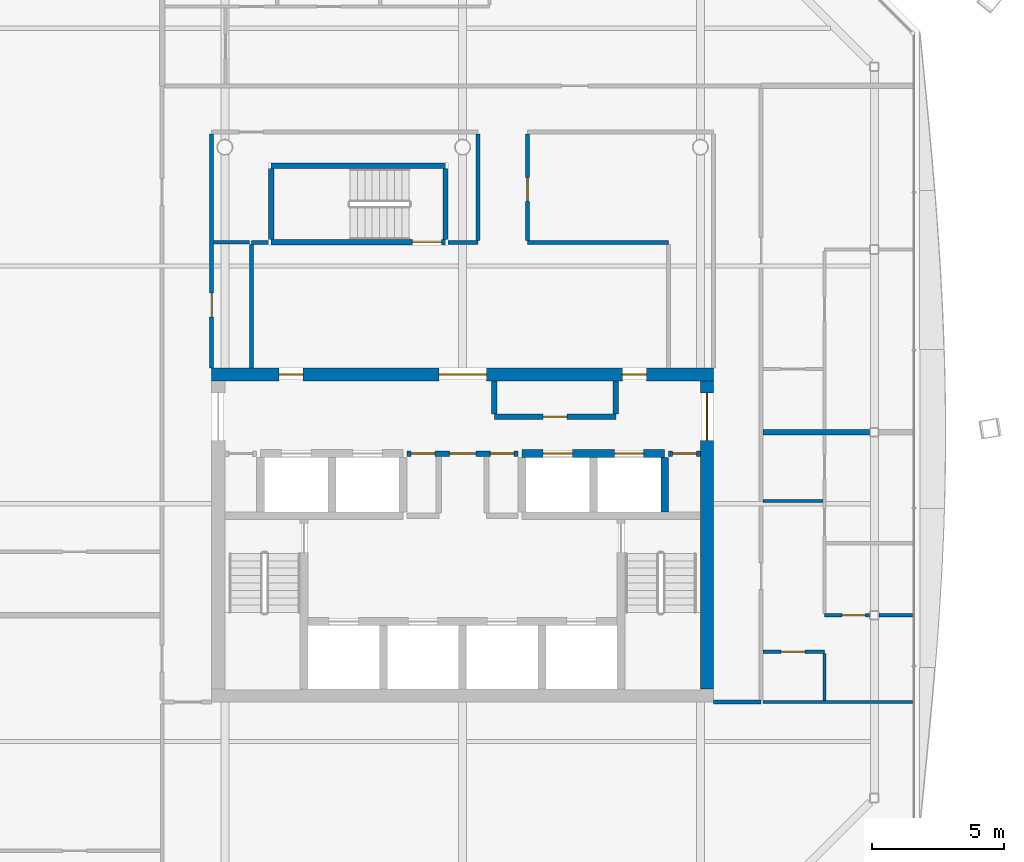
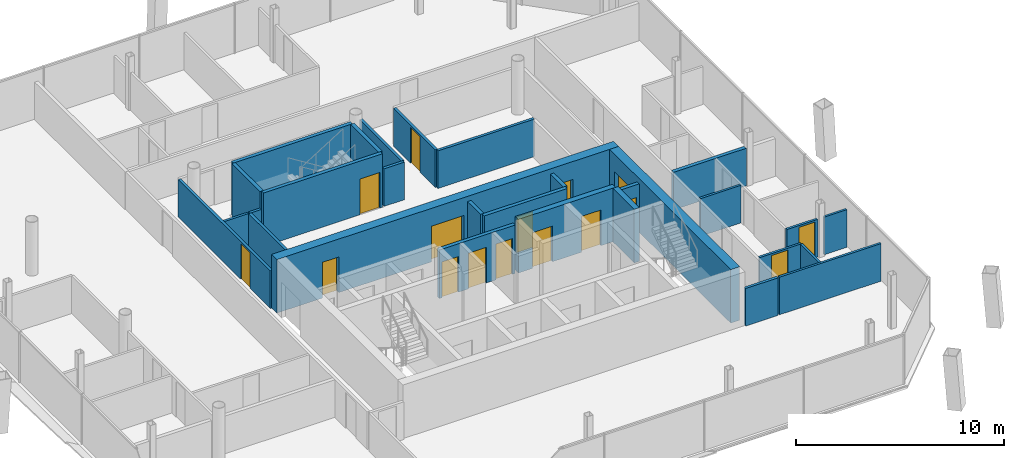
# One storey, part 15 of 20: 29 walls, 16 doors, 16 openings.
"""IFC4 building model written with IfcOpenShell, lengths in metres."""

import ifcopenshell
import ifcopenshell.guid

model = None  # the IFC model being written
_history = None  # IfcOwnerHistory: only IFC2X3 demands one
_inside = {}  # id of a spatial element -> (the spatial element, [elements in it])
_under = {}  # id of a project, library or spatial element -> (it, [spatial elements below it])
_declared = {}  # id of a project -> (the project, [libraries it declares])
_typed = {}  # id of a type object -> (the type object, [elements of that type])
_made_of = {}  # id of a material, layer set ... -> (it, [elements and type objects made of it])


def new_model(schema):
    """Start an empty IFC model of exactly this schema.

    Asked for "IFC4X3", IfcOpenShell would pick the latest addendum, in which some entities
    have other attributes; the version numbers below select the first issue.
    IFC2X3 requires an IfcOwnerHistory on every rooted entity: one is made here for all.
    """
    global model, _history
    if schema == "IFC4X3":
        model = ifcopenshell.file(schema_version=(4, 3, 0, 0))
    else:
        model = ifcopenshell.file(schema=schema)
    _inside.clear()
    _under.clear()
    _declared.clear()
    _typed.clear()
    _made_of.clear()
    _history = None
    if model.schema == "IFC2X3":
        org = make("IfcOrganization", Name="unknown")
        user = make(
            "IfcPersonAndOrganization",
            ThePerson=make("IfcPerson", FamilyName="unknown"),
            TheOrganization=org,
        )
        app = make(
            "IfcApplication",
            ApplicationDeveloper=org,
            Version="unknown",
            ApplicationFullName="unknown",
            ApplicationIdentifier="unknown",
        )
        _history = make(
            "IfcOwnerHistory",
            OwningUser=user,
            OwningApplication=app,
            ChangeAction="ADDED",
            CreationDate=0,
        )
    return model


def make(cls, **values):
    """One entity of the class cls with the attributes given. An attribute that is None is left unset."""
    return model.create_entity(
        cls, **{name: value for name, value in values.items() if value is not None}
    )


def rooted(cls, **values):
    """An entity with a GlobalId (a new one), such as an element, a storey or a relation."""
    return make(cls, GlobalId=ifcopenshell.guid.new(), OwnerHistory=_history, **values)


def si_unit(unit_type, name, prefix=None):
    """IfcSIUnit, for example si_unit("LENGTHUNIT", "METRE", prefix="MILLI")."""
    return make("IfcSIUnit", UnitType=unit_type, Prefix=prefix, Name=name)


def assignment(units):
    """IfcUnitAssignment: the units of a project."""
    return None if units is None else make("IfcUnitAssignment", Units=units)


def point(xyz):
    """IfcCartesianPoint."""
    return None if xyz is None else make("IfcCartesianPoint", Coordinates=xyz)


def direction(xyz):
    """IfcDirection."""
    return None if xyz is None else make("IfcDirection", DirectionRatios=xyz)


def frame(location, z_axis=None, x_axis=None):
    """IfcAxis2Placement3D, a coordinate frame: its origin and axes. An axis left out is left unset."""
    return make(
        "IfcAxis2Placement3D",
        Location=point(location),
        Axis=direction(z_axis),
        RefDirection=direction(x_axis),
    )


def frame_2d(location, x_axis=None):
    """IfcAxis2Placement2D, a coordinate frame in the plane: its origin and x axis."""
    return make(
        "IfcAxis2Placement2D", Location=point(location), RefDirection=direction(x_axis)
    )


def origin():
    """The frame at (0, 0, 0) with its axes left unset."""
    return frame((0.0, 0.0, 0.0))


def place(relative_to, where):
    """IfcLocalPlacement: puts the frame where relative to a parent placement (None: the world)."""
    return make(
        "IfcLocalPlacement", PlacementRelTo=relative_to, RelativePlacement=where
    )


def context(
    kind, dimensions, precision=None, world=None, true_north=None, identifier=None
):
    """IfcGeometricRepresentationContext, for example the 3D "Model" context."""
    return make(
        "IfcGeometricRepresentationContext",
        ContextIdentifier=identifier,
        ContextType=kind,
        CoordinateSpaceDimension=dimensions,
        Precision=precision,
        WorldCoordinateSystem=world,
        TrueNorth=true_north,
    )


def subcontext(parent, identifier, kind, view, scale=None):
    """IfcGeometricRepresentationSubContext, for example "Body" below "Model"."""
    return make(
        "IfcGeometricRepresentationSubContext",
        ContextIdentifier=identifier,
        ContextType=kind,
        ParentContext=parent,
        TargetScale=scale,
        TargetView=view,
    )


def project(units=None, contexts=None):
    """IfcProject with its units and contexts."""
    return rooted(
        "IfcProject",
        Name="project",
        RepresentationContexts=contexts,
        UnitsInContext=assignment(units),
    )


def spatial(cls, under=None, at=None, **own):
    """A site, building, storey or space (cls), placed at a placement, below another one or the project."""
    s = rooted(cls, ObjectPlacement=at, **own)
    if under is not None:
        _under.setdefault(under.id(), (under, []))[1].append(s)
    return s


def profile(cls, at=None, kind="AREA", **sizes):
    """A parametric profile (cls). Its sizes go by their IFC names, for example OverallWidth=200.0."""
    return make(cls, ProfileType=kind, Position=at, **sizes)


def rectangle(**sizes):
    """IfcRectangleProfileDef."""
    return profile("IfcRectangleProfileDef", **sizes)


def extrude(swept, where, along, depth):
    """IfcExtrudedAreaSolid: the profile swept, set in the frame where, extruded along a direction by depth."""
    return make(
        "IfcExtrudedAreaSolid",
        SweptArea=swept,
        Position=where,
        ExtrudedDirection=direction(along),
        Depth=depth,
    )


def shape(context_of_items, identifier, shape_type, items):
    """IfcShapeRepresentation: the items that make up one representation, for example the "Body"."""
    return make(
        "IfcShapeRepresentation",
        ContextOfItems=context_of_items,
        RepresentationIdentifier=identifier,
        RepresentationType=shape_type,
        Items=items,
    )


def material(Name=None, Category=None):
    """IfcMaterial."""
    return make("IfcMaterial", Name=Name, Category=Category)


def layer(
    of_material, thickness, ventilated=None, Name=None, Category=None, Priority=None
):
    """IfcMaterialLayer: one layer of a wall or slab, of a material (None: an air gap)."""
    return make(
        "IfcMaterialLayer",
        Material=of_material,
        LayerThickness=thickness,
        IsVentilated=ventilated,
        Name=Name,
        Category=Category,
        Priority=Priority,
    )


def layer_set(layers, Name=None):
    """IfcMaterialLayerSet."""
    return make("IfcMaterialLayerSet", MaterialLayers=layers, LayerSetName=Name)


def made_of(thing, what):
    """Note that an element or type object is made of a material, layer set ...; save() writes the relation."""
    if what is not None:
        _made_of.setdefault(what.id(), (what, []))[1].append(thing)
    return thing


def type_object(cls, material=None, **own):
    """A type object (cls), such as IfcWallType, which elements share."""
    return made_of(rooted(cls, **own), material)


def element(
    cls,
    number,
    at=None,
    inside=None,
    cuts=None,
    type_object=None,
    material=None,
    context=None,
    identifier="Body",
    shape_type=None,
    held_by="IfcProductDefinitionShape",
    body=None,
    shapes=None,
    **own,
):
    """One element of the class cls, such as IfcWall. Its Tag is "e" and its number.

    at: its placement. inside: the storey or other place that contains it. cuts: it is an
    opening in that element (IfcRelVoidsElement). A single representation is given by context,
    identifier, shape_type and body (its items); several are given by shapes. held_by: the class
    of the entity that holds the representations. save() writes the other relations.
    """
    e = rooted(cls, Tag="e%d" % number, ObjectPlacement=at, **own)
    if body is not None:
        shapes = [shape(context, identifier, shape_type, body)]
    if shapes is not None:
        e.Representation = make(held_by, Representations=shapes)
    if inside is not None:
        _inside.setdefault(inside.id(), (inside, []))[1].append(e)
    if cuts is not None:
        rooted(
            "IfcRelVoidsElement", RelatingBuildingElement=cuts, RelatedOpeningElement=e
        )
    if type_object is not None:
        _typed.setdefault(type_object.id(), (type_object, []))[1].append(e)
    return made_of(e, material)


def fill(opening, filler):
    """IfcRelFillsElement: the door or window that sits in an opening."""
    return rooted(
        "IfcRelFillsElement",
        RelatingOpeningElement=opening,
        RelatedBuildingElement=filler,
    )


def aggregate(whole, parts):
    """IfcRelAggregates: a whole, such as a stair, and the parts it consists of."""
    return rooted("IfcRelAggregates", RelatingObject=whole, RelatedObjects=parts)


def save(model, path):
    """Write the relations noted so far, then the file.

    IfcRelAggregates (storeys below a building ...), IfcRelContainedInSpatialStructure (elements
    in a storey), IfcRelDefinesByType, IfcRelAssociatesMaterial and IfcRelDeclares: one each for
    every whole, place, type object, material and project.
    """
    for whole, parts in _under.values():
        aggregate(whole, parts)
    for where, things in _inside.values():
        rooted(
            "IfcRelContainedInSpatialStructure",
            RelatedElements=things,
            RelatingStructure=where,
        )
    for kind, things in _typed.values():
        rooted("IfcRelDefinesByType", RelatedObjects=things, RelatingType=kind)
    for what, things in _made_of.values():
        rooted("IfcRelAssociatesMaterial", RelatedObjects=things, RelatingMaterial=what)
    for by, libraries in _declared.values():
        rooted("IfcRelDeclares", RelatingContext=by, RelatedDefinitions=libraries)
    model.write(path)


model = new_model("IFC4")

# Units and contexts
model_context = context("Model", 3, precision=1e-05, world=origin(), true_north=direction((0.0, 1.0)))
body_context = subcontext(model_context, "Body", "Model", "MODEL_VIEW")
ifc_project = project(units=[si_unit("LENGTHUNIT", "METRE"), si_unit("AREAUNIT", "SQUARE_METRE"), si_unit("VOLUMEUNIT", "CUBIC_METRE"), si_unit("PLANEANGLEUNIT", "RADIAN"), si_unit("MASSUNIT", "GRAM", prefix="KILO")], contexts=[model_context])

# Site, building, storey
site_placement = place(None, origin())
site = spatial("IfcSite", under=ifc_project, at=site_placement, CompositionType="ELEMENT")
building_placement = place(site_placement, origin())
building = spatial("IfcBuilding", under=site, at=building_placement, Name="Tskaro Facet Tower", CompositionType="ELEMENT")
storey_placement = place(building_placement, frame((0.0, 0.0, 194.25)))
storey = spatial("IfcBuildingStorey", under=building, at=storey_placement, Name="L49", CompositionType="ELEMENT", Elevation=194.25)

# Wall, openings, doors
ifc_material_1 = material(Name="Concrete C60/75", Category="concrete")
ifc_layer_1 = layer(ifc_material_1, 0.300048828125, Name="Concrete C60/75")
ifc_layer_set_1 = layer_set([ifc_layer_1], Name="Concrete C60/75")
wall_type_1 = type_object("IfcWallType", Name="CORE-SHAFT", PredefinedType="SHEAR", material=ifc_layer_set_1)
wall_1_placement = place(storey_placement, frame((2.25, -2.60009765625, 0.0), z_axis=(0.0, 0.0, 1.0), x_axis=(1.0, 0.0, 0.0)))
wall_1 = element("IfcWall", 1, at=wall_1_placement, inside=storey, type_object=wall_type_1, Name="Shaft wall W025", PredefinedType="SHEAR", context=body_context, shape_type="SweptSolid", body=[
    extrude(rectangle(XDim=5.39990234375, YDim=0.300048828125, at=frame_2d((2.699951171875, 0.0))), origin(), (0.0, 0.0, 1.0), 3.14990234375),
])
opening_1_placement = place(wall_1_placement, frame((0.800048828125, 0.0, 0.0)))
opening_1 = element("IfcOpeningElement", 2, at=opening_1_placement, cuts=wall_1, Name="Opening LD-HB3", PredefinedType="OPENING", context=body_context, shape_type="SweptSolid", body=[
    extrude(rectangle(XDim=1.10009765625, YDim=2.10009765625, at=frame_2d((0.550048828125, 1.050048828125))), frame((0.0, 0.159912109375, 0.0), z_axis=(0.0, -1.0, 0.0), x_axis=(1.0, 0.0, 0.0)), (0.0, 0.0, 1.0), 0.320068359375),
])
opening_2_placement = place(wall_1_placement, frame((3.5, 0.0, 0.0)))
opening_2 = element("IfcOpeningElement", 3, at=opening_2_placement, cuts=wall_1, Name="Opening LD-HB4", PredefinedType="OPENING", context=body_context, shape_type="SweptSolid", body=[
    extrude(rectangle(XDim=1.10009765625, YDim=2.10009765625, at=frame_2d((0.550048828125, 1.050048828125))), frame((0.0, 0.159912109375, 0.0), z_axis=(0.0, -1.0, 0.0), x_axis=(1.0, 0.0, 0.0)), (0.0, 0.0, 1.0), 0.320068359375),
])
ifc_material_2 = material(Name="Stainless steel", Category="steel")
door_type_1 = type_object("IfcDoorType", Name="D-LANDING", OperationType="NOTDEFINED", PredefinedType="DOOR", material=ifc_material_2)
door_1_placement = place(opening_1_placement, origin())
door_1 = element("IfcDoor", 4, at=door_1_placement, inside=storey, type_object=door_type_1, Name="Landing door HB3", OperationType="DOUBLE_DOOR_SLIDING", OverallHeight=2.10009765625, OverallWidth=1.10009765625, PredefinedType="DOOR", context=body_context, shape_type="SweptSolid", body=[
    extrude(rectangle(XDim=1.10009765625, YDim=2.10009765625, at=frame_2d((0.550048828125, 1.050048828125))), frame((0.0, 0.02490234375, 0.0), z_axis=(0.0, -1.0, 0.0), x_axis=(1.0, 0.0, 0.0)), (0.0, 0.0, 1.0), 0.050048828125),
])
fill(opening_1, door_1)
door_2_placement = place(opening_2_placement, origin())
door_2 = element("IfcDoor", 5, at=door_2_placement, inside=storey, type_object=door_type_1, Name="Landing door HB4", OperationType="DOUBLE_DOOR_SLIDING", OverallHeight=2.10009765625, OverallWidth=1.10009765625, PredefinedType="DOOR", context=body_context, shape_type="SweptSolid", body=[
    extrude(rectangle(XDim=1.10009765625, YDim=2.10009765625, at=frame_2d((0.550048828125, 1.050048828125))), frame((0.0, 0.02490234375, 0.0), z_axis=(0.0, -1.0, 0.0), x_axis=(1.0, 0.0, 0.0)), (0.0, 0.0, 1.0), 0.050048828125),
])
fill(opening_2, door_2)

# Wall
wall_2_placement = place(storey_placement, frame((7.64990234375, -4.800048828125, 0.0), z_axis=(0.0, 0.0, 1.0), x_axis=(0.0, 1.0, 0.0)))
element("IfcWall", 6, at=wall_2_placement, inside=storey, type_object=wall_type_1, Name="Shaft wall W080", PredefinedType="SHEAR", context=body_context, shape_type="SweptSolid", body=[
    extrude(rectangle(XDim=2.050048828125, YDim=0.300048828125, at=frame_2d((1.02490234375, 0.0))), origin(), (0.0, 0.0, 1.0), 3.14990234375),
])

# Wall, openings, doors
ifc_material_3 = material(Name="Concrete C20/25", Category="concrete")
ifc_layer_2 = layer(ifc_material_3, 0.199951171875, Name="Concrete C20/25")
ifc_layer_set_2 = layer_set([ifc_layer_2], Name="Concrete C20/25")
wall_type_2 = type_object("IfcWallType", Name="CORE-WALL", PredefinedType="SOLIDWALL", material=ifc_layer_set_2)
wall_3_placement = place(storey_placement, frame((2.10009765625, -2.60009765625, 0.0), z_axis=(0.0, 0.0, 1.0), x_axis=(-1.0, 0.0, 0.0)))
wall_3 = element("IfcWall", 7, at=wall_3_placement, inside=storey, type_object=wall_type_2, Name="Core room wall W024", PredefinedType="SOLIDWALL", context=body_context, shape_type="SweptSolid", body=[
    extrude(rectangle(XDim=4.2001953125, YDim=0.199951171875, at=frame_2d((2.10009765625, 0.0))), origin(), (0.0, 0.0, 1.0), 2.85009765625),
])
opening_3_placement = place(wall_3_placement, frame((1.60009765625, 0.0, 0.0)))
opening_3 = element("IfcOpeningElement", 8, at=opening_3_placement, cuts=wall_3, Name="Opening FL-D1", PredefinedType="OPENING", context=body_context, shape_type="SweptSolid", body=[
    extrude(rectangle(XDim=1.0, YDim=2.10009765625, at=frame_2d((0.5, 1.050048828125))), frame((0.0, 0.10986328125, 0.0), z_axis=(0.0, -1.0, 0.0), x_axis=(1.0, 0.0, 0.0)), (0.0, 0.0, 1.0), 0.219970703125),
])
opening_4_placement = place(wall_3_placement, frame((3.14990234375, 0.0, 0.0)))
opening_4 = element("IfcOpeningElement", 9, at=opening_4_placement, cuts=wall_3, Name="Opening T14-D14", PredefinedType="OPENING", context=body_context, shape_type="SweptSolid", body=[
    extrude(rectangle(XDim=0.89990234375, YDim=2.10009765625, at=frame_2d((0.449951171875, 1.050048828125))), frame((0.0, 0.10986328125, 0.0), z_axis=(0.0, -1.0, 0.0), x_axis=(1.0, 0.0, 0.0)), (0.0, 0.0, 1.0), 0.219970703125),
])
opening_5_placement = place(wall_3_placement, frame((0.14990234375, 0.0, 0.0)))
opening_5 = element("IfcOpeningElement", 10, at=opening_5_placement, cuts=wall_3, Name="Opening T14-D15", PredefinedType="OPENING", context=body_context, shape_type="SweptSolid", body=[
    extrude(rectangle(XDim=0.89990234375, YDim=2.10009765625, at=frame_2d((0.449951171875, 1.050048828125))), frame((0.0, 0.10986328125, 0.0), z_axis=(0.0, -1.0, 0.0), x_axis=(1.0, 0.0, 0.0)), (0.0, 0.0, 1.0), 0.219970703125),
])
ifc_material_4 = material(Name="Steel", Category="steel")
door_type_2 = type_object("IfcDoorType", Name="D-LOBBY", OperationType="NOTDEFINED", PredefinedType="DOOR", material=ifc_material_4)
door_3_placement = place(opening_3_placement, origin())
door_3 = element("IfcDoor", 11, at=door_3_placement, inside=storey, type_object=door_type_2, Name="Lobby door FL", OperationType="SINGLE_SWING_RIGHT", OverallHeight=2.10009765625, OverallWidth=1.0, PredefinedType="DOOR", context=body_context, shape_type="SweptSolid", body=[
    extrude(rectangle(XDim=1.0, YDim=2.10009765625, at=frame_2d((0.5, 1.050048828125))), frame((0.0, 0.02490234375, 0.0), z_axis=(0.0, -1.0, 0.0), x_axis=(1.0, 0.0, 0.0)), (0.0, 0.0, 1.0), 0.050048828125),
])
fill(opening_3, door_3)
ifc_material_5 = material(Name="Timber", Category="wood")
door_type_3 = type_object("IfcDoorType", Name="D-ROOM", OperationType="NOTDEFINED", PredefinedType="DOOR", material=ifc_material_5)
door_4_placement = place(opening_4_placement, origin())
door_4 = element("IfcDoor", 12, at=door_4_placement, inside=storey, type_object=door_type_3, Name="Door T14-D14", OperationType="SINGLE_SWING_RIGHT", OverallHeight=2.10009765625, OverallWidth=0.89990234375, PredefinedType="DOOR", context=body_context, shape_type="SweptSolid", body=[
    extrude(rectangle(XDim=0.89990234375, YDim=2.10009765625, at=frame_2d((0.449951171875, 1.050048828125))), frame((0.0, 0.02490234375, 0.0), z_axis=(0.0, -1.0, 0.0), x_axis=(1.0, 0.0, 0.0)), (0.0, 0.0, 1.0), 0.050048828125),
])
fill(opening_4, door_4)
door_5_placement = place(opening_5_placement, origin())
door_5 = element("IfcDoor", 13, at=door_5_placement, inside=storey, type_object=door_type_3, Name="Door T14-D15", OperationType="SINGLE_SWING_RIGHT", OverallHeight=2.10009765625, OverallWidth=0.89990234375, PredefinedType="DOOR", context=body_context, shape_type="SweptSolid", body=[
    extrude(rectangle(XDim=0.89990234375, YDim=2.10009765625, at=frame_2d((0.449951171875, 1.050048828125))), frame((0.0, 0.02490234375, 0.0), z_axis=(0.0, -1.0, 0.0), x_axis=(1.0, 0.0, 0.0)), (0.0, 0.0, 1.0), 0.050048828125),
])
fill(opening_5, door_5)

# Wall, opening, door
wall_4_placement = place(storey_placement, frame((9.0, -2.60009765625, 0.0), z_axis=(0.0, 0.0, 1.0), x_axis=(-1.0, 0.0, 0.0)))
wall_4 = element("IfcWall", 14, at=wall_4_placement, inside=storey, type_object=wall_type_2, Name="Core room wall W026", PredefinedType="SOLIDWALL", context=body_context, shape_type="SweptSolid", body=[
    extrude(rectangle(XDim=1.199951171875, YDim=0.199951171875, at=frame_2d((0.60009765625, 0.0))), origin(), (0.0, 0.0, 1.0), 2.85009765625),
])
opening_6_placement = place(wall_4_placement, frame((0.14990234375, 0.0, 0.0)))
opening_6 = element("IfcOpeningElement", 15, at=opening_6_placement, cuts=wall_4, Name="Opening T14-D16", PredefinedType="OPENING", context=body_context, shape_type="SweptSolid", body=[
    extrude(rectangle(XDim=0.89990234375, YDim=2.10009765625, at=frame_2d((0.449951171875, 1.050048828125))), frame((0.0, 0.10986328125, 0.0), z_axis=(0.0, -1.0, 0.0), x_axis=(1.0, 0.0, 0.0)), (0.0, 0.0, 1.0), 0.219970703125),
])
door_6_placement = place(opening_6_placement, origin())
door_6 = element("IfcDoor", 16, at=door_6_placement, inside=storey, type_object=door_type_3, Name="Door T14-D16", OperationType="SINGLE_SWING_RIGHT", OverallHeight=2.10009765625, OverallWidth=0.89990234375, PredefinedType="DOOR", context=body_context, shape_type="SweptSolid", body=[
    extrude(rectangle(XDim=0.89990234375, YDim=2.10009765625, at=frame_2d((0.449951171875, 1.050048828125))), frame((0.0, 0.02490234375, 0.0), z_axis=(0.0, -1.0, 0.0), x_axis=(1.0, 0.0, 0.0)), (0.0, 0.0, 1.0), 0.050048828125),
])
fill(opening_6, door_6)

wall_5_placement = place(storey_placement, frame((1.199951171875, -1.199951171875, 0.0), z_axis=(0.0, 0.0, 1.0), x_axis=(1.0, 0.0, 0.0)))
wall_5 = element("IfcWall", 17, at=wall_5_placement, inside=storey, type_object=wall_type_2, Name="Core room wall W031", PredefinedType="SOLIDWALL", context=body_context, shape_type="SweptSolid", body=[
    extrude(rectangle(XDim=4.60009765625, YDim=0.199951171875, at=frame_2d((2.300048828125, 0.0))), origin(), (0.0, 0.0, 1.0), 2.85009765625),
])
opening_7_placement = place(wall_5_placement, frame((1.85009765625, 0.0, 0.0)))
opening_7 = element("IfcOpeningElement", 18, at=opening_7_placement, cuts=wall_5, Name="Opening T14-D18", PredefinedType="OPENING", context=body_context, shape_type="SweptSolid", body=[
    extrude(rectangle(XDim=0.89990234375, YDim=2.10009765625, at=frame_2d((0.449951171875, 1.050048828125))), frame((0.0, 0.10986328125, 0.0), z_axis=(0.0, -1.0, 0.0), x_axis=(1.0, 0.0, 0.0)), (0.0, 0.0, 1.0), 0.219970703125),
])
door_7_placement = place(opening_7_placement, origin())
door_7 = element("IfcDoor", 19, at=door_7_placement, inside=storey, type_object=door_type_3, Name="Door T14-D18", OperationType="SINGLE_SWING_LEFT", OverallHeight=2.10009765625, OverallWidth=0.89990234375, PredefinedType="DOOR", context=body_context, shape_type="SweptSolid", body=[
    extrude(rectangle(XDim=0.89990234375, YDim=2.10009765625, at=frame_2d((0.449951171875, 1.050048828125))), frame((0.0, 0.02490234375, 0.0), z_axis=(0.0, -1.0, 0.0), x_axis=(1.0, 0.0, 0.0)), (0.0, 0.0, 1.0), 0.050048828125),
])
fill(opening_7, door_7)

# Walls
for number, where, z_axis, x_axis, name in (
    (20, (1.199951171875, -1.10009765625, 0.0), (0.0, 0.0, 1.0), (0.0, 1.0, 0.0), "Core room wall W073"),
    (21, (5.800048828125, -1.10009765625, 0.0), (0.0, 0.0, 1.0), (0.0, 1.0, 0.0), "Core room wall W078"),
):
    element("IfcWall", number, at=place(storey_placement, frame(where, z_axis=z_axis, x_axis=x_axis)), inside=storey, type_object=wall_type_2, Name=name, PredefinedType="SOLIDWALL", context=body_context, shape_type="SweptSolid", body=[
        extrude(rectangle(XDim=1.25, YDim=0.199951171875, at=frame_2d((0.625, 0.0))), origin(), (0.0, 0.0, 1.0), 2.85009765625),
    ])

# Wall, openings, doors
ifc_material_6 = material(Name="Concrete C40/50", Category="concrete")
ifc_layer_3 = layer(ifc_material_6, 0.5, Name="Concrete C40/50")
ifc_layer_set_3 = layer_set([ifc_layer_3], Name="Concrete C40/50")
wall_type_3 = type_object("IfcWallType", Name="Core wall 500", PredefinedType="SHEAR", material=ifc_layer_set_3)
wall_6_placement = place(storey_placement, frame((-9.5, 0.39990234375, 0.0), z_axis=(0.0, 0.0, 1.0), x_axis=(1.0, 0.0, 0.0)))
wall_6 = element("IfcWall", 22, at=wall_6_placement, inside=storey, type_object=wall_type_3, Name="Core wall CW-Z3N", PredefinedType="SHEAR", context=body_context, shape_type="SweptSolid", body=[
    extrude(rectangle(XDim=19.0, YDim=0.5, at=frame_2d((9.5, 0.0))), origin(), (0.0, 0.0, 1.0), 3.14990234375),
])
opening_8_placement = place(wall_6_placement, frame((8.60009765625, 0.0, 0.0)))
opening_8 = element("IfcOpeningElement", 23, at=opening_8_placement, cuts=wall_6, Name="Opening T14-D21", PredefinedType="OPENING", context=body_context, shape_type="SweptSolid", body=[
    extrude(rectangle(XDim=1.800048828125, YDim=2.10009765625, at=frame_2d((0.89990234375, 1.050048828125))), frame((0.0, 0.260009765625, 0.0), z_axis=(0.0, -1.0, 0.0), x_axis=(1.0, 0.0, 0.0)), (0.0, 0.0, 1.0), 0.52001953125),
])
opening_9_placement = place(wall_6_placement, frame((2.550048828125, 0.0, 0.0)))
opening_9 = element("IfcOpeningElement", 24, at=opening_9_placement, cuts=wall_6, Name="Opening T14-D20", PredefinedType="OPENING", context=body_context, shape_type="SweptSolid", body=[
    extrude(rectangle(XDim=0.89990234375, YDim=2.10009765625, at=frame_2d((0.449951171875, 1.050048828125))), frame((0.0, 0.260009765625, 0.0), z_axis=(0.0, -1.0, 0.0), x_axis=(1.0, 0.0, 0.0)), (0.0, 0.0, 1.0), 0.52001953125),
])
opening_10_placement = place(wall_6_placement, frame((15.550048828125, 0.0, 0.0)))
opening_10 = element("IfcOpeningElement", 25, at=opening_10_placement, cuts=wall_6, Name="Opening T14-D22", PredefinedType="OPENING", context=body_context, shape_type="SweptSolid", body=[
    extrude(rectangle(XDim=0.89990234375, YDim=2.10009765625, at=frame_2d((0.449951171875, 1.050048828125))), frame((0.0, 0.260009765625, 0.0), z_axis=(0.0, -1.0, 0.0), x_axis=(1.0, 0.0, 0.0)), (0.0, 0.0, 1.0), 0.52001953125),
])
door_type_4 = type_object("IfcDoorType", Name="D-CORE-PAIR", OperationType="NOTDEFINED", PredefinedType="DOOR", material=ifc_material_4)
door_8_placement = place(opening_8_placement, origin())
door_8 = element("IfcDoor", 26, at=door_8_placement, inside=storey, type_object=door_type_4, Name="Door T14-D21", OperationType="DOUBLE_DOOR_SINGLE_SWING", OverallHeight=2.10009765625, OverallWidth=1.800048828125, PredefinedType="DOOR", context=body_context, shape_type="SweptSolid", body=[
    extrude(rectangle(XDim=1.800048828125, YDim=2.10009765625, at=frame_2d((0.89990234375, 1.050048828125))), frame((0.0, 0.02490234375, 0.0), z_axis=(0.0, -1.0, 0.0), x_axis=(1.0, 0.0, 0.0)), (0.0, 0.0, 1.0), 0.050048828125),
])
fill(opening_8, door_8)
door_9_placement = place(opening_9_placement, origin())
door_9 = element("IfcDoor", 27, at=door_9_placement, inside=storey, type_object=door_type_3, Name="Door T14-D20", OperationType="SINGLE_SWING_LEFT", OverallHeight=2.10009765625, OverallWidth=0.89990234375, PredefinedType="DOOR", context=body_context, shape_type="SweptSolid", body=[
    extrude(rectangle(XDim=0.89990234375, YDim=2.10009765625, at=frame_2d((0.449951171875, 1.050048828125))), frame((0.0, 0.02490234375, 0.0), z_axis=(0.0, -1.0, 0.0), x_axis=(1.0, 0.0, 0.0)), (0.0, 0.0, 1.0), 0.050048828125),
])
fill(opening_9, door_9)
door_10_placement = place(opening_10_placement, origin())
door_10 = element("IfcDoor", 28, at=door_10_placement, inside=storey, type_object=door_type_3, Name="Door T14-D22", OperationType="SINGLE_SWING_LEFT", OverallHeight=2.10009765625, OverallWidth=0.89990234375, PredefinedType="DOOR", context=body_context, shape_type="SweptSolid", body=[
    extrude(rectangle(XDim=0.89990234375, YDim=2.10009765625, at=frame_2d((0.449951171875, 1.050048828125))), frame((0.0, 0.02490234375, 0.0), z_axis=(0.0, -1.0, 0.0), x_axis=(1.0, 0.0, 0.0)), (0.0, 0.0, 1.0), 0.050048828125),
])
fill(opening_10, door_10)

# Wall, opening, door
wall_7_placement = place(storey_placement, frame((9.25, -11.5, 0.0), z_axis=(0.0, 0.0, 1.0), x_axis=(0.0, 1.0, 0.0)))
wall_7 = element("IfcWall", 29, at=wall_7_placement, inside=storey, type_object=wall_type_3, Name="Core wall CW-Z3E", PredefinedType="SHEAR", context=body_context, shape_type="SweptSolid", body=[
    extrude(rectangle(XDim=11.64990234375, YDim=0.5, at=frame_2d((5.824951171875, 0.0))), origin(), (0.0, 0.0, 1.0), 3.14990234375),
])
opening_11_placement = place(wall_7_placement, frame((9.39990234375, 0.0, 0.0)))
opening_11 = element("IfcOpeningElement", 30, at=opening_11_placement, cuts=wall_7, Name="Opening T14-D19", PredefinedType="OPENING", context=body_context, shape_type="SweptSolid", body=[
    extrude(rectangle(XDim=1.800048828125, YDim=2.10009765625, at=frame_2d((0.89990234375, 1.050048828125))), frame((0.0, 0.260009765625, 0.0), z_axis=(0.0, -1.0, 0.0), x_axis=(1.0, 0.0, 0.0)), (0.0, 0.0, 1.0), 0.52001953125),
])
door_11_placement = place(opening_11_placement, origin())
door_11 = element("IfcDoor", 31, at=door_11_placement, inside=storey, type_object=door_type_4, Name="Door T14-D19", OperationType="DOUBLE_DOOR_SINGLE_SWING", OverallHeight=2.10009765625, OverallWidth=1.800048828125, PredefinedType="DOOR", context=body_context, shape_type="SweptSolid", body=[
    extrude(rectangle(XDim=1.800048828125, YDim=2.10009765625, at=frame_2d((0.89990234375, 1.050048828125))), frame((0.0, 0.02490234375, 0.0), z_axis=(0.0, -1.0, 0.0), x_axis=(1.0, 0.0, 0.0)), (0.0, 0.0, 1.0), 0.050048828125),
])
fill(opening_11, door_11)

# Wall
ifc_material_7 = material(Name="Gypsum board on steel studs", Category="steel")
ifc_layer_4 = layer(ifc_material_7, 0.125, Name="Gypsum board on steel studs")
ifc_layer_set_4 = layer_set([ifc_layer_4], Name="Gypsum board on steel studs")
wall_type_4 = type_object("IfcWallType", Name="PART", PredefinedType="PARTITIONING", material=ifc_layer_set_4)
wall_8_placement = place(storey_placement, frame((11.375, -12.0, 0.0), z_axis=(0.0, 0.0, 1.0), x_axis=(1.0, 0.0, 0.0)))
element("IfcWall", 32, at=wall_8_placement, inside=storey, type_object=wall_type_4, Name="Partition W006", PredefinedType="PARTITIONING", context=body_context, shape_type="SweptSolid", body=[
    extrude(rectangle(XDim=5.655029296875, YDim=0.125, at=frame_2d((2.82763671875, 0.0))), origin(), (0.0, 0.0, 1.0), 2.2099609375),
])

# Wall, opening, door
wall_9_placement = place(storey_placement, frame((13.699951171875, -10.10009765625, 0.0), z_axis=(0.0, 0.0, 1.0), x_axis=(-1.0, 0.0, 0.0)))
wall_9 = element("IfcWall", 33, at=wall_9_placement, inside=storey, type_object=wall_type_4, Name="Partition W007", PredefinedType="PARTITIONING", context=body_context, shape_type="SweptSolid", body=[
    extrude(rectangle(XDim=2.324951171875, YDim=0.125, at=frame_2d((1.16259765625, 0.0))), origin(), (0.0, 0.0, 1.0), 2.2099609375),
])
opening_12_placement = place(wall_9_placement, frame((0.75, 0.0, 0.0)))
opening_12 = element("IfcOpeningElement", 34, at=opening_12_placement, cuts=wall_9, Name="Opening T14-D05", PredefinedType="OPENING", context=body_context, shape_type="SweptSolid", body=[
    extrude(rectangle(XDim=0.89990234375, YDim=2.10009765625, at=frame_2d((0.449951171875, 1.050048828125))), frame((0.0, 0.072509765625, 0.0), z_axis=(0.0, -1.0, 0.0), x_axis=(1.0, 0.0, 0.0)), (0.0, 0.0, 1.0), 0.14501953125),
])
door_12_placement = place(opening_12_placement, origin())
door_12 = element("IfcDoor", 35, at=door_12_placement, inside=storey, type_object=door_type_3, Name="Door T14-D05", OperationType="SINGLE_SWING_RIGHT", OverallHeight=2.10009765625, OverallWidth=0.89990234375, PredefinedType="DOOR", context=body_context, shape_type="SweptSolid", body=[
    extrude(rectangle(XDim=0.89990234375, YDim=2.10009765625, at=frame_2d((0.449951171875, 1.050048828125))), frame((0.0, 0.02490234375, 0.0), z_axis=(0.0, -1.0, 0.0), x_axis=(1.0, 0.0, 0.0)), (0.0, 0.0, 1.0), 0.050048828125),
])
fill(opening_12, door_12)

wall_10_placement = place(storey_placement, frame((13.699951171875, -8.715087890625, 0.0), z_axis=(0.0, 0.0, 1.0), x_axis=(1.0, 0.0, 0.0)))
wall_10 = element("IfcWall", 36, at=wall_10_placement, inside=storey, type_object=wall_type_4, Name="Partition W012", PredefinedType="PARTITIONING", context=body_context, shape_type="SweptSolid", body=[
    extrude(rectangle(XDim=1.7080078125, YDim=0.125, at=frame_2d((0.85400390625, 0.0))), origin(), (0.0, 0.0, 1.0), 2.2099609375),
])
opening_13_placement = place(wall_10_placement, frame((0.657958984375, 0.0, 0.0)))
opening_13 = element("IfcOpeningElement", 37, at=opening_13_placement, cuts=wall_10, Name="Opening T14-D06", PredefinedType="OPENING", context=body_context, shape_type="SweptSolid", body=[
    extrude(rectangle(XDim=0.89990234375, YDim=2.10009765625, at=frame_2d((0.449951171875, 1.050048828125))), frame((0.0, 0.072509765625, 0.0), z_axis=(0.0, -1.0, 0.0), x_axis=(1.0, 0.0, 0.0)), (0.0, 0.0, 1.0), 0.14501953125),
])
door_13_placement = place(opening_13_placement, origin())
door_13 = element("IfcDoor", 38, at=door_13_placement, inside=storey, type_object=door_type_3, Name="Door T14-D06", OperationType="SINGLE_SWING_LEFT", OverallHeight=2.10009765625, OverallWidth=0.89990234375, PredefinedType="DOOR", context=body_context, shape_type="SweptSolid", body=[
    extrude(rectangle(XDim=0.89990234375, YDim=2.10009765625, at=frame_2d((0.449951171875, 1.050048828125))), frame((0.0, 0.02490234375, 0.0), z_axis=(0.0, -1.0, 0.0), x_axis=(1.0, 0.0, 0.0)), (0.0, 0.0, 1.0), 0.050048828125),
])
fill(opening_13, door_13)

# Walls
wall_11_placement = place(storey_placement, frame((15.758056640625, -8.715087890625, 0.0), z_axis=(0.0, 0.0, 1.0), x_axis=(1.0, 0.0, 0.0)))
element("IfcWall", 39, at=wall_11_placement, inside=storey, type_object=wall_type_4, Name="Partition W013", PredefinedType="PARTITIONING", context=body_context, shape_type="SweptSolid", body=[
    extrude(rectangle(XDim=1.27197265625, YDim=0.125, at=frame_2d((0.635986328125, 0.0))), origin(), (0.0, 0.0, 1.0), 2.2099609375),
])
wall_12_placement = place(storey_placement, frame((11.375, -4.39501953125, 0.0), z_axis=(0.0, 0.0, 1.0), x_axis=(1.0, 0.0, 0.0)))
element("IfcWall", 40, at=wall_12_placement, inside=storey, type_object=wall_type_4, Name="Partition W021", PredefinedType="PARTITIONING", context=body_context, shape_type="SweptSolid", body=[
    extrude(rectangle(XDim=2.262451171875, YDim=0.125, at=frame_2d((1.13134765625, 0.0))), origin(), (0.0, 0.0, 1.0), 2.2099609375),
])
wall_13_placement = place(storey_placement, frame((-9.425048828125, 5.39990234375, 0.0), z_axis=(0.0, 0.0, 1.0), x_axis=(1.0, 0.0, 0.0)))
element("IfcWall", 41, at=wall_13_placement, inside=storey, type_object=wall_type_4, Name="Partition W037", PredefinedType="PARTITIONING", context=body_context, shape_type="SweptSolid", body=[
    extrude(rectangle(XDim=1.35009765625, YDim=0.125, at=frame_2d((0.675048828125, 0.0))), origin(), (0.0, 0.0, 1.0), 2.2099609375),
])
wall_14_placement = place(storey_placement, frame((13.699951171875, -11.9375, 0.0), z_axis=(0.0, 0.0, 1.0), x_axis=(0.0, 1.0, 0.0)))
element("IfcWall", 42, at=wall_14_placement, inside=storey, type_object=wall_type_4, Name="Partition W084", PredefinedType="PARTITIONING", context=body_context, shape_type="SweptSolid", body=[
    extrude(rectangle(XDim=1.77490234375, YDim=0.125, at=frame_2d((0.887451171875, 0.0))), origin(), (0.0, 0.0, 1.0), 2.2099609375),
])
ifc_layer_5 = layer(ifc_material_7, 0.14990234375, Name="Gypsum board on steel studs")
ifc_layer_set_5 = layer_set([ifc_layer_5], Name="Gypsum board on steel studs")
wall_type_5 = type_object("IfcWallType", Name="PART-CORR", PredefinedType="PARTITIONING", material=ifc_layer_set_5)
wall_15_placement = place(storey_placement, frame((9.5, -12.0, 0.0), z_axis=(0.0, 0.0, 1.0), x_axis=(1.0, 0.0, 0.0)))
element("IfcWall", 43, at=wall_15_placement, inside=storey, type_object=wall_type_5, Name="Corridor wall W005", PredefinedType="PARTITIONING", context=body_context, shape_type="SweptSolid", body=[
    extrude(rectangle(XDim=1.800048828125, YDim=0.14990234375, at=frame_2d((0.89990234375, 0.0))), origin(), (0.0, 0.0, 1.0), 2.2099609375),
])
wall_16_placement = place(storey_placement, frame((-8.0, 5.39990234375, 0.0), z_axis=(0.0, 0.0, 1.0), x_axis=(1.0, 0.0, 0.0)))
element("IfcWall", 44, at=wall_16_placement, inside=storey, type_object=wall_type_5, Name="Corridor wall W038", PredefinedType="PARTITIONING", context=body_context, shape_type="SweptSolid", body=[
    extrude(rectangle(XDim=0.64990234375, YDim=0.14990234375, at=frame_2d((0.324951171875, 0.0))), origin(), (0.0, 0.0, 1.0), 2.2099609375),
])
wall_17_placement = place(storey_placement, frame((-0.550048828125, 5.39990234375, 0.0), z_axis=(0.0, 0.0, 1.0), x_axis=(1.0, 0.0, 0.0)))
element("IfcWall", 45, at=wall_17_placement, inside=storey, type_object=wall_type_5, Name="Corridor wall W040", PredefinedType="PARTITIONING", context=body_context, shape_type="SweptSolid", body=[
    extrude(rectangle(XDim=1.125, YDim=0.14990234375, at=frame_2d((0.5625, 0.0))), origin(), (0.0, 0.0, 1.0), 2.2099609375),
])
wall_18_placement = place(storey_placement, frame((2.449951171875, 5.39990234375, 0.0), z_axis=(0.0, 0.0, 1.0), x_axis=(1.0, 0.0, 0.0)))
element("IfcWall", 46, at=wall_18_placement, inside=storey, type_object=wall_type_5, Name="Corridor wall W041", PredefinedType="PARTITIONING", context=body_context, shape_type="SweptSolid", body=[
    extrude(rectangle(XDim=5.35009765625, YDim=0.14990234375, at=frame_2d((2.675048828125, 0.0))), origin(), (0.0, 0.0, 1.0), 2.2099609375),
])

# Wall, opening, door
wall_19_placement = place(storey_placement, frame((-9.5, 9.5, 0.0), z_axis=(0.0, 0.0, 1.0), x_axis=(0.0, -1.0, 0.0)))
wall_19 = element("IfcWall", 47, at=wall_19_placement, inside=storey, type_object=wall_type_5, Name="Corridor wall W054", PredefinedType="PARTITIONING", context=body_context, shape_type="SweptSolid", body=[
    extrude(rectangle(XDim=8.85009765625, YDim=0.14990234375, at=frame_2d((4.425048828125, 0.0))), origin(), (0.0, 0.0, 1.0), 2.2099609375),
])
opening_14_placement = place(wall_19_placement, frame((6.02490234375, 0.0, 0.0)))
opening_14 = element("IfcOpeningElement", 48, at=opening_14_placement, cuts=wall_19, Name="Opening T14-D25", PredefinedType="OPENING", context=body_context, shape_type="SweptSolid", body=[
    extrude(rectangle(XDim=0.89990234375, YDim=2.10009765625, at=frame_2d((0.449951171875, 1.050048828125))), frame((0.0, 0.0849609375, 0.0), z_axis=(0.0, -1.0, 0.0), x_axis=(1.0, 0.0, 0.0)), (0.0, 0.0, 1.0), 0.169921875),
])
door_14_placement = place(opening_14_placement, origin())
door_14 = element("IfcDoor", 49, at=door_14_placement, inside=storey, type_object=door_type_3, Name="Door T14-D25", OperationType="SINGLE_SWING_RIGHT", OverallHeight=2.10009765625, OverallWidth=0.89990234375, PredefinedType="DOOR", context=body_context, shape_type="SweptSolid", body=[
    extrude(rectangle(XDim=0.89990234375, YDim=2.10009765625, at=frame_2d((0.449951171875, 1.050048828125))), frame((0.0, 0.02490234375, 0.0), z_axis=(0.0, -1.0, 0.0), x_axis=(1.0, 0.0, 0.0)), (0.0, 0.0, 1.0), 0.050048828125),
])
fill(opening_14, door_14)

# Walls
wall_20_placement = place(storey_placement, frame((-8.0, 0.64990234375, 0.0), z_axis=(0.0, 0.0, 1.0), x_axis=(0.0, 1.0, 0.0)))
element("IfcWall", 50, at=wall_20_placement, inside=storey, type_object=wall_type_5, Name="Corridor wall W056", PredefinedType="PARTITIONING", context=body_context, shape_type="SweptSolid", body=[
    extrude(rectangle(XDim=4.675048828125, YDim=0.14990234375, at=frame_2d((2.33740234375, 0.0))), origin(), (0.0, 0.0, 1.0), 2.2099609375),
])
wall_21_placement = place(storey_placement, frame((0.574951171875, 5.47509765625, 0.0), z_axis=(0.0, 0.0, 1.0), x_axis=(0.0, 1.0, 0.0)))
element("IfcWall", 51, at=wall_21_placement, inside=storey, type_object=wall_type_5, Name="Corridor wall W069", PredefinedType="PARTITIONING", context=body_context, shape_type="SweptSolid", body=[
    extrude(rectangle(XDim=4.02490234375, YDim=0.14990234375, at=frame_2d((2.012451171875, 0.0))), origin(), (0.0, 0.0, 1.0), 2.2099609375),
])

# Wall, opening, door
wall_22_placement = place(storey_placement, frame((2.449951171875, 9.5, 0.0), z_axis=(0.0, 0.0, 1.0), x_axis=(0.0, -1.0, 0.0)))
wall_22 = element("IfcWall", 52, at=wall_22_placement, inside=storey, type_object=wall_type_5, Name="Corridor wall W075", PredefinedType="PARTITIONING", context=body_context, shape_type="SweptSolid", body=[
    extrude(rectangle(XDim=4.02490234375, YDim=0.14990234375, at=frame_2d((2.012451171875, 0.0))), origin(), (0.0, 0.0, 1.0), 2.2099609375),
])
opening_15_placement = place(wall_22_placement, frame((1.64990234375, 0.0, 0.0)))
opening_15 = element("IfcOpeningElement", 53, at=opening_15_placement, cuts=wall_22, Name="Opening T14-D29", PredefinedType="OPENING", context=body_context, shape_type="SweptSolid", body=[
    extrude(rectangle(XDim=0.89990234375, YDim=2.10009765625, at=frame_2d((0.449951171875, 1.050048828125))), frame((0.0, 0.0849609375, 0.0), z_axis=(0.0, -1.0, 0.0), x_axis=(1.0, 0.0, 0.0)), (0.0, 0.0, 1.0), 0.169921875),
])
door_15_placement = place(opening_15_placement, origin())
door_15 = element("IfcDoor", 54, at=door_15_placement, inside=storey, type_object=door_type_3, Name="Door T14-D29", OperationType="SINGLE_SWING_RIGHT", OverallHeight=2.10009765625, OverallWidth=0.89990234375, PredefinedType="DOOR", context=body_context, shape_type="SweptSolid", body=[
    extrude(rectangle(XDim=0.89990234375, YDim=2.10009765625, at=frame_2d((0.449951171875, 1.050048828125))), frame((0.0, 0.02490234375, 0.0), z_axis=(0.0, -1.0, 0.0), x_axis=(1.0, 0.0, 0.0)), (0.0, 0.0, 1.0), 0.050048828125),
])
fill(opening_15, door_15)

# Wall
ifc_layer_6 = layer(ifc_material_7, 0.199951171875, Name="Gypsum board on steel studs")
ifc_layer_set_6 = layer_set([ifc_layer_6], Name="Gypsum board on steel studs")
wall_type_6 = type_object("IfcWallType", Name="PART-DEMISING", PredefinedType="PARTITIONING", material=ifc_layer_set_6)
wall_23_placement = place(storey_placement, frame((11.375, -1.794921875, 0.0), z_axis=(0.0, 0.0, 1.0), x_axis=(1.0, 0.0, 0.0)))
element("IfcWall", 55, at=wall_23_placement, inside=storey, type_object=wall_type_6, Name="Guest room wall W029", PredefinedType="PARTITIONING", context=body_context, shape_type="SweptSolid", body=[
    extrude(rectangle(XDim=4.032958984375, YDim=0.199951171875, at=frame_2d((2.0166015625, 0.0))), origin(), (0.0, 0.0, 1.0), 2.2099609375),
])

# Wall, opening, door
ifc_layer_7 = layer(ifc_material_1, 0.199951171875, Name="Concrete C60/75")
ifc_layer_set_7 = layer_set([ifc_layer_7], Name="Concrete C60/75")
wall_type_7 = type_object("IfcWallType", Name="STAIR-WALL", PredefinedType="SHEAR", material=ifc_layer_set_7)
wall_24_placement = place(storey_placement, frame((-7.25, 5.39990234375, 0.0), z_axis=(0.0, 0.0, 1.0), x_axis=(1.0, 0.0, 0.0)))
wall_24 = element("IfcWall", 56, at=wall_24_placement, inside=storey, type_object=wall_type_7, Name="Stair wall W039", PredefinedType="SHEAR", context=body_context, shape_type="SweptSolid", body=[
    extrude(rectangle(XDim=6.60009765625, YDim=0.199951171875, at=frame_2d((3.300048828125, 0.0))), origin(), (0.0, 0.0, 1.0), 3.14990234375),
])
opening_16_placement = place(wall_24_placement, frame((5.35009765625, 0.0, 0.0)))
opening_16 = element("IfcOpeningElement", 57, at=opening_16_placement, cuts=wall_24, Name="Opening ST-3-D1", PredefinedType="OPENING", context=body_context, shape_type="SweptSolid", body=[
    extrude(rectangle(XDim=1.10009765625, YDim=2.10009765625, at=frame_2d((0.550048828125, 1.050048828125))), frame((0.0, 0.10986328125, 0.0), z_axis=(0.0, -1.0, 0.0), x_axis=(1.0, 0.0, 0.0)), (0.0, 0.0, 1.0), 0.219970703125),
])
door_type_5 = type_object("IfcDoorType", Name="D-STAIR", OperationType="NOTDEFINED", PredefinedType="DOOR", material=ifc_material_4)
door_16_placement = place(opening_16_placement, origin())
door_16 = element("IfcDoor", 58, at=door_16_placement, inside=storey, type_object=door_type_5, Name="Stair door 3", OperationType="SINGLE_SWING_LEFT", OverallHeight=2.10009765625, OverallWidth=1.10009765625, PredefinedType="DOOR", context=body_context, shape_type="SweptSolid", body=[
    extrude(rectangle(XDim=1.10009765625, YDim=2.10009765625, at=frame_2d((0.550048828125, 1.050048828125))), frame((0.0, 0.02490234375, 0.0), z_axis=(0.0, -1.0, 0.0), x_axis=(1.0, 0.0, 0.0)), (0.0, 0.0, 1.0), 0.050048828125),
])
fill(opening_16, door_16)

# Walls
wall_25_placement = place(storey_placement, frame((-7.25, 8.300048828125, 0.0), z_axis=(0.0, 0.0, 1.0), x_axis=(1.0, 0.0, 0.0)))
element("IfcWall", 59, at=wall_25_placement, inside=storey, type_object=wall_type_7, Name="Stair wall W042", PredefinedType="SHEAR", context=body_context, shape_type="SweptSolid", body=[
    extrude(rectangle(XDim=6.60009765625, YDim=0.199951171875, at=frame_2d((3.300048828125, 0.0))), origin(), (0.0, 0.0, 1.0), 3.14990234375),
])
for number, where, z_axis, x_axis, name in (
    (60, (-7.25, 5.5, 0.0), (0.0, 0.0, 1.0), (0.0, 1.0, 0.0), "Stair wall W058"),
    (61, (-0.64990234375, 5.5, 0.0), (0.0, 0.0, 1.0), (0.0, 1.0, 0.0), "Stair wall W067"),
):
    element("IfcWall", number, at=place(storey_placement, frame(where, z_axis=z_axis, x_axis=x_axis)), inside=storey, type_object=wall_type_7, Name=name, PredefinedType="SHEAR", context=body_context, shape_type="SweptSolid", body=[
        extrude(rectangle(XDim=2.699951171875, YDim=0.199951171875, at=frame_2d((1.35009765625, 0.0))), origin(), (0.0, 0.0, 1.0), 3.14990234375),
    ])

save(model, "model.ifc")
